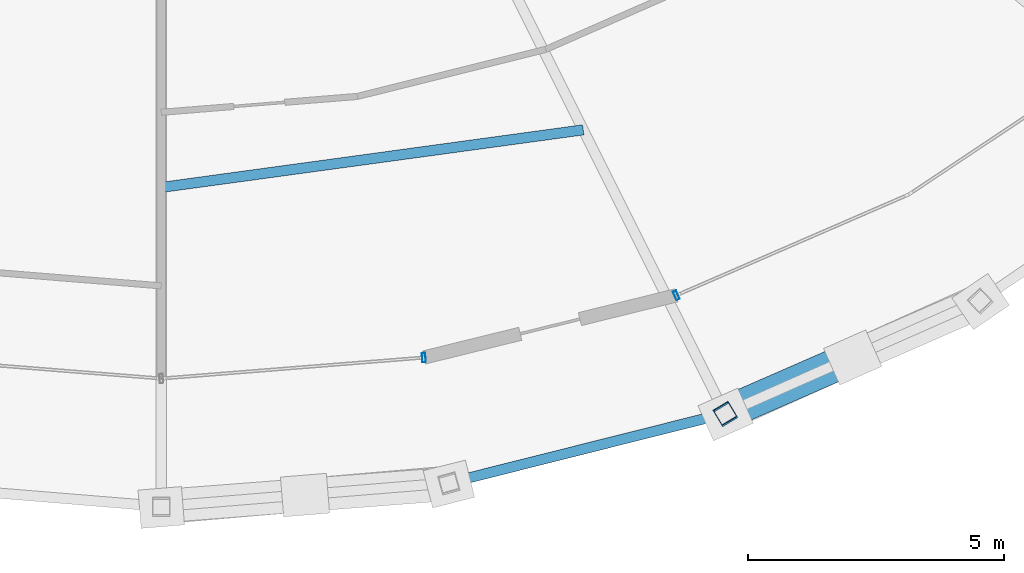
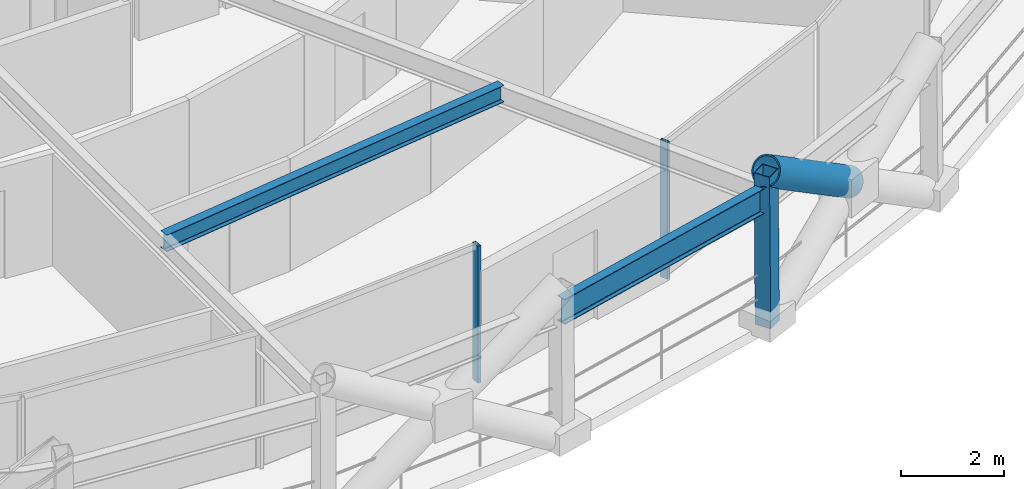
# One storey, part 6 of 23: 4 members, 2 beams, 2 elements without a shape of their own.
"""IFC4 building model written with IfcOpenShell, lengths in metres."""

from ifc_helpers import new_model, si_unit, direction, frame, origin, origin_2d, place, context, subcontext, project, spatial, hollow_rectangle, hollow_circle, i_section, extrude, material, layer, layer_set, material_profile, profile_set, type_object, element, aggregate, save


model = new_model("IFC4")

# Units and contexts
model_context = context("Model", 3, precision=1e-05, world=origin(), true_north=direction((0.0, 1.0)))
body_context = subcontext(model_context, "Body", "Model", "MODEL_VIEW")
ifc_project = project(units=[si_unit("LENGTHUNIT", "METRE"), si_unit("AREAUNIT", "SQUARE_METRE"), si_unit("VOLUMEUNIT", "CUBIC_METRE"), si_unit("PLANEANGLEUNIT", "RADIAN"), si_unit("MASSUNIT", "GRAM", prefix="KILO")], contexts=[model_context])

# Site, building, storey
site_placement = place(None, origin())
site = spatial("IfcSite", under=ifc_project, at=site_placement, CompositionType="ELEMENT")
building_placement = place(site_placement, origin())
building = spatial("IfcBuilding", under=site, at=building_placement, Name="Veldorina Hangang Commons", CompositionType="ELEMENT")
storey_placement = place(building_placement, frame((0.0, 0.0, 102.39990234375)))
storey = spatial("IfcBuildingStorey", under=building, at=storey_placement, Name="L26", CompositionType="ELEMENT", Elevation=102.39990234375)

# Beams
ifc_material_1 = material(Name="Steel SM355-TMC", Category="steel")
ifc_material_profile_1 = material_profile(ifc_material_1, i_section(OverallWidth=0.199951171875, OverallDepth=0.39990234375, WebThickness=0.008056640625, FlangeThickness=0.012939453125, FilletRadius=0.012939453125, at=origin_2d()), Name="H-400x200x8x13")
ifc_profile_set_1 = profile_set([ifc_material_profile_1], Name="Steel SM355-TMC")
beam_type_1 = type_object("IfcBeamType", Name="BM-JST400", PredefinedType="JOIST", material=ifc_profile_set_1)
beam_1_placement = place(storey_placement, frame((32.0, 6.380615234375, 3.10009765625), z_axis=(0.990813201469, 0.135237567987, 0.0), x_axis=(-0.135237567987, 0.990813201469, 0.0)))
element("IfcBeam", 1, at=beam_1_placement, inside=storey, type_object=beam_type_1, Name="L26 secondary floor joist 13", PredefinedType="JOIST", context=body_context, shape_type="SweptSolid", body=[
    extrude(i_section(OverallWidth=0.199951171875, OverallDepth=0.39990234375, WebThickness=0.008056640625, FlangeThickness=0.012939453125, FilletRadius=0.012939453125, at=origin_2d()), origin(), (0.0, 0.0, 1.0), 8.322265625),
])
ifc_material_2 = material(Name="Steel SM420-TMC", Category="steel")
ifc_material_profile_2 = material_profile(ifc_material_2, i_section(OverallWidth=0.199951171875, OverallDepth=0.60009765625, WebThickness=0.010986328125, FlangeThickness=0.01708984375, FilletRadius=0.01806640625, at=origin_2d()), Name="H-600x200x11x17")
ifc_profile_set_2 = profile_set([ifc_material_profile_2], Name="Steel SM420-TMC")
beam_type_2 = type_object("IfcBeamType", Name="BM-RB600", PredefinedType="BEAM", material=ifc_profile_set_2)
beam_2_placement = place(storey_placement, frame((37.616455078125, 0.60595703125, 3.0), z_axis=(0.969834827594, 0.243763014394, 0.0), x_axis=(-0.243763014394, 0.969834827594, 0.0)))
element("IfcBeam", 2, at=beam_2_placement, inside=storey, type_object=beam_type_2, Name="L26 perimeter hoop ring beam 25", PredefinedType="BEAM", context=body_context, shape_type="SweptSolid", body=[
    extrude(i_section(OverallWidth=0.199951171875, OverallDepth=0.60009765625, WebThickness=0.010986328125, FlangeThickness=0.01708984375, FilletRadius=0.01806640625, at=origin_2d()), origin(), (0.0, 0.0, 1.0), 5.568603515625),
])

# Curtain wall, member
ifc_material_3 = material(Name="Glass Low-E Triple IGU", Category="glass")
ifc_layer = layer(ifc_material_3, 0.179931640625)
ifc_layer_set = layer_set([ifc_layer], Name="Glass Low-E Triple IGU")
curtain_wall_type = type_object("IfcCurtainWallType", Name="CW-SYS-Z1", PredefinedType="NOTDEFINED", material=ifc_layer_set)
curtain_wall_1_placement = place(storey_placement, origin())
curtain_wall_1 = element("IfcCurtainWall", 3, at=curtain_wall_1_placement, inside=storey, type_object=curtain_wall_type, Name="L26 unitised curtain wall CW-L26-R1", PredefinedType="NOTDEFINED")
ifc_material_4 = material(Name="Aluminium Anodized AA6063-T6", Category="aluminium")
ifc_material_profile_3 = material_profile(ifc_material_4, hollow_rectangle(XDim=0.070068359375, YDim=0.179931640625, WallThickness=0.00390625, at=origin_2d()), Name="ALU-RHS-180x70x4")
ifc_profile_set_3 = profile_set([ifc_material_profile_3], Name="Aluminium Anodized AA6063-T6")
member_type_1 = type_object("IfcMemberType", Name="CW-MUL-180", PredefinedType="MULLION", material=ifc_profile_set_3)
member_1_placement = place(storey_placement, frame((37.130859375, 3.056640625, 0.0), z_axis=(0.0, 0.0, 1.0), x_axis=(-0.996817952017, -0.079711796718, 0.0)))
member_1 = element("IfcMember", 4, at=member_1_placement, type_object=member_type_1, Name="CW-L26-R1 vertical mullion 5", PredefinedType="MULLION", context=body_context, shape_type="SweptSolid", body=[
    extrude(hollow_rectangle(XDim=0.070068359375, YDim=0.179931640625, WallThickness=0.00390625, at=origin_2d()), origin(), (0.0, 0.0, 1.0), 3.260009765625),
])
aggregate(curtain_wall_1, [member_1])

curtain_wall_2_placement = place(storey_placement, origin())
curtain_wall_2 = element("IfcCurtainWall", 5, at=curtain_wall_2_placement, inside=storey, type_object=curtain_wall_type, Name="L26 unitised curtain wall CW-L26-R2", PredefinedType="NOTDEFINED")
member_2_placement = place(storey_placement, frame((42.064453125, 4.271728515625, 0.0), z_axis=(0.0, 0.0, 1.0), x_axis=(0.917345178415, 0.398092732462, 0.0)))
member_2 = element("IfcMember", 6, at=member_2_placement, type_object=member_type_1, Name="CW-L26-R2 vertical mullion 1", PredefinedType="MULLION", context=body_context, shape_type="SweptSolid", body=[
    extrude(hollow_rectangle(XDim=0.070068359375, YDim=0.179931640625, WallThickness=0.00390625, at=origin_2d()), origin(), (0.0, 0.0, 1.0), 3.260009765625),
])
aggregate(curtain_wall_2, [member_2])

# Members
ifc_material_5 = material(Name="Steel SM460-TMC", Category="steel")
ifc_material_profile_4 = material_profile(ifc_material_5, hollow_circle(Radius=0.324951171875, WallThickness=0.031982421875, at=origin_2d()), Name="CHS-650x32")
ifc_profile_set_4 = profile_set([ifc_material_profile_4], Name="Steel SM460-TMC")
member_type_2 = type_object("IfcMemberType", Name="DG-CHS650", PredefinedType="BRACE", material=ifc_profile_set_4)
member_3_placement = place(storey_placement, frame((45.511474609375, 3.05810546875, 1.80126953125), z_axis=(-0.764739503753, -0.334101506088, 0.550953423648), x_axis=(0.400344033769, -0.916364913463, 0.0)))
element("IfcMember", 7, at=member_3_placement, inside=storey, type_object=member_type_2, Name="L26 split perimeter diagrid upper brace 27", PredefinedType="BRACE", context=body_context, shape_type="SweptSolid", body=[
    extrude(hollow_circle(Radius=0.324951171875, WallThickness=0.031982421875, at=origin_2d()), origin(), (0.0, 0.0, 1.0), 3.264892578125),
])
ifc_material_profile_5 = material_profile(ifc_material_1, hollow_rectangle(XDim=0.35009765625, YDim=0.35009765625, WallThickness=0.01611328125, at=origin_2d()), Name="SHS-350x350x16")
ifc_profile_set_5 = profile_set([ifc_material_profile_5], Name="Steel SM355-TMC")
member_type_3 = type_object("IfcMemberType", Name="STR-SHS350", PredefinedType="STRUT", material=ifc_profile_set_5)
member_4_placement = place(storey_placement, frame((43.02880859375, 1.943603515625, 0.0), z_axis=(-0.003933154521, 0.006577861872, 0.999970630583), x_axis=(-0.858272659495, -0.513193961347, 0.0)))
element("IfcMember", 8, at=member_4_placement, inside=storey, type_object=member_type_3, Name="L26 perimeter ring node post 26", PredefinedType="STRUT", context=body_context, shape_type="SweptSolid", body=[
    extrude(hollow_rectangle(XDim=0.35009765625, YDim=0.35009765625, WallThickness=0.01611328125, at=origin_2d()), origin(), (0.0, 0.0, 1.0), 3.60009765625),
])

save(model, "model.ifc")
